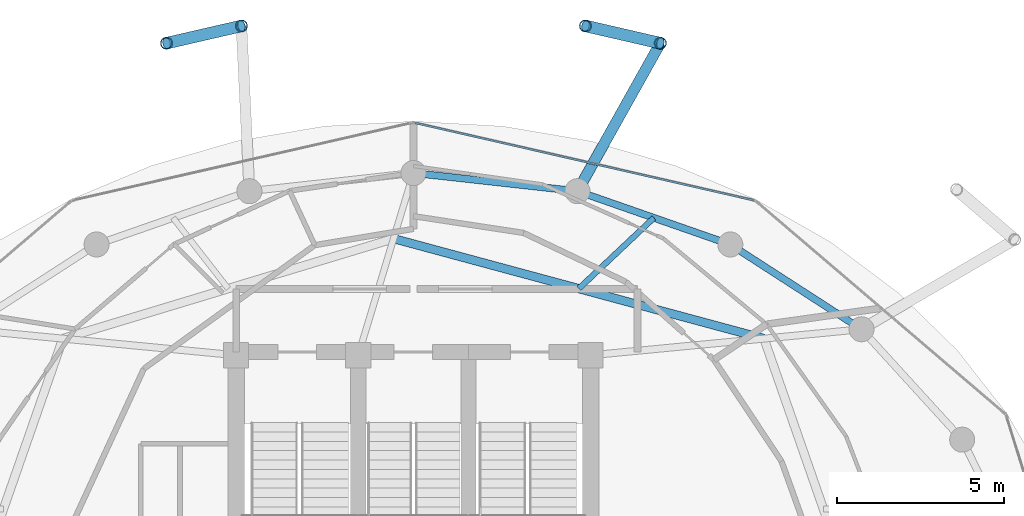
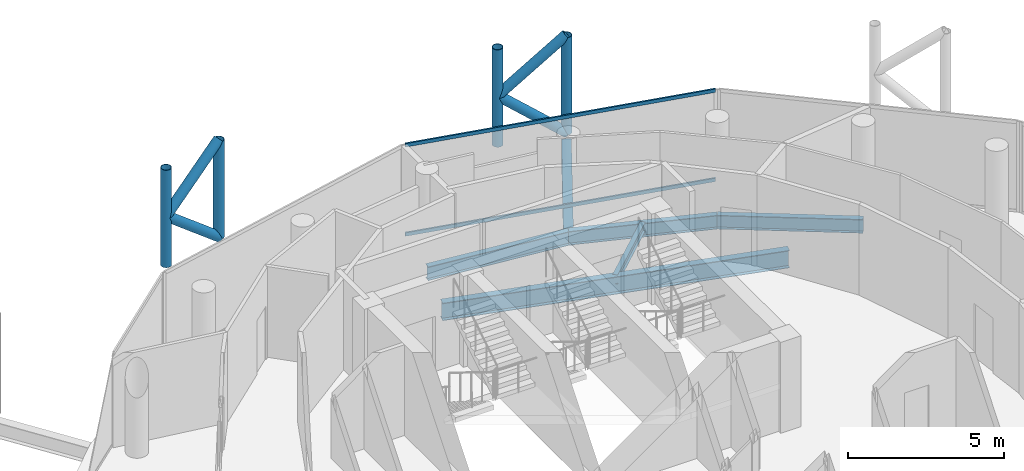
# One storey, part 17 of 24: 10 members, 6 beams, 1 element without a shape of its own.
"""IFC4 building model written with IfcOpenShell, lengths in metres."""

from ifc_helpers import new_model, si_unit, direction, frame, origin, origin_2d, place, context, subcontext, project, spatial, hollow_rectangle, hollow_circle, i_section, extrude, material, layer, layer_set, material_profile, profile_set, type_object, element, aggregate, save


model = new_model("IFC4")

# Units and contexts
model_context = context("Model", 3, precision=1e-05, world=origin(), true_north=direction((0.0, 1.0)))
body_context = subcontext(model_context, "Body", "Model", "MODEL_VIEW")
ifc_project = project(units=[si_unit("LENGTHUNIT", "METRE"), si_unit("AREAUNIT", "SQUARE_METRE"), si_unit("VOLUMEUNIT", "CUBIC_METRE"), si_unit("PLANEANGLEUNIT", "RADIAN"), si_unit("MASSUNIT", "GRAM", prefix="KILO")], contexts=[model_context])

# Site, building, storey
site_placement = place(None, origin())
site = spatial("IfcSite", under=ifc_project, at=site_placement, CompositionType="ELEMENT")
building_placement = place(site_placement, origin())
building = spatial("IfcBuilding", under=site, at=building_placement, Name="Nuhasar Tower", CompositionType="ELEMENT")
storey_placement = place(building_placement, frame((0.0, 0.0, 274.60009765625)))
storey = spatial("IfcBuildingStorey", under=building, at=storey_placement, Name="L68", CompositionType="ELEMENT", Elevation=274.60009765625)

# Beams
ifc_material_1 = material(Name="Steel S355", Category="steel")
ifc_material_profile_1 = material_profile(ifc_material_1, i_section(OverallWidth=0.25390625, OverallDepth=0.68408203125, WebThickness=0.012451171875, FlangeThickness=0.018798828125, at=origin_2d()), Name="W27X94")
ifc_profile_set_1 = profile_set([ifc_material_profile_1], Name="Steel S355")
beam_type_1 = type_object("IfcBeamType", Name="BM-INRING-W27X94", PredefinedType="BEAM", material=ifc_profile_set_1)
beam_1_placement = place(storey_placement, frame((49.48388671875, 37.798095703125, -0.60205078125), z_axis=(-0.965451835482, 0.260581567584, 0.0), x_axis=(-0.260581567584, -0.965451835482, 0.0)))
element("IfcBeam", 1, at=beam_1_placement, inside=storey, type_object=beam_type_1, Name="L68 Inner Header Beam 05", PredefinedType="BEAM", context=body_context, shape_type="SweptSolid", body=[
    extrude(i_section(OverallWidth=0.25390625, OverallDepth=0.68408203125, WebThickness=0.012451171875, FlangeThickness=0.018798828125, at=origin_2d()), origin(), (0.0, 0.0, 1.0), 11.474365234375),
])
ifc_material_profile_2 = material_profile(ifc_material_1, i_section(OverallWidth=0.1708984375, OverallDepth=0.35205078125, WebThickness=0.0068359375, FlangeThickness=0.009765625, at=origin_2d()), Name="W14X30")
ifc_profile_set_2 = profile_set([ifc_material_profile_2], Name="Steel S355")
beam_type_2 = type_object("IfcBeamType", Name="BM-JST-W14X30", PredefinedType="JOIST", material=ifc_profile_set_2)
beam_2_placement = place(storey_placement, frame((43.945068359375, 39.29296875, -0.43603515625), z_axis=(0.727532985224, 0.686072704173, 0.0), x_axis=(-0.686072704173, 0.727532985224, 0.0)))
element("IfcBeam", 2, at=beam_2_placement, inside=storey, type_object=beam_type_2, Name="L68 Secondary Floor Joist 05", PredefinedType="JOIST", context=body_context, shape_type="SweptSolid", body=[
    extrude(i_section(OverallWidth=0.1708984375, OverallDepth=0.35205078125, WebThickness=0.0068359375, FlangeThickness=0.009765625, at=origin_2d()), origin(), (0.0, 0.0, 1.0), 3.085693359375),
])
ifc_material_profile_3 = material_profile(ifc_material_1, i_section(OverallWidth=0.2099609375, OverallDepth=0.537109375, WebThickness=0.010986328125, FlangeThickness=0.017333984375, at=origin_2d()), Name="W21X68")
ifc_profile_set_3 = profile_set([ifc_material_profile_3], Name="Steel S355")
beam_type_3 = type_object("IfcBeamType", Name="BM-RING-W21X68", PredefinedType="SPANDREL", material=ifc_profile_set_3)
beam_3_placement = place(storey_placement, frame((52.39990234375, 38.077880859375, -0.529052734375), z_axis=(-0.840001671147, 0.54258381147, 0.0), x_axis=(-0.54258381147, -0.840001671147, 0.0)))
element("IfcBeam", 3, at=beam_3_placement, inside=storey, type_object=beam_type_3, Name="L68 Perimeter Ring Spandrel 04", PredefinedType="SPANDREL", context=body_context, shape_type="SweptSolid", body=[
    extrude(i_section(OverallWidth=0.2099609375, OverallDepth=0.537109375, WebThickness=0.010986328125, FlangeThickness=0.017333984375, at=origin_2d()), origin(), (0.0, 0.0, 1.0), 4.67236328125),
])
beam_4_placement = place(storey_placement, frame((48.47509765625, 40.613037109375, -0.529052734375), z_axis=(-0.944214043504, 0.329332415729, 0.0), x_axis=(-0.329332415729, -0.944214043504, 0.0)))
element("IfcBeam", 4, at=beam_4_placement, inside=storey, type_object=beam_type_3, Name="L68 Perimeter Ring Spandrel 05", PredefinedType="SPANDREL", context=body_context, shape_type="SweptSolid", body=[
    extrude(i_section(OverallWidth=0.2099609375, OverallDepth=0.537109375, WebThickness=0.010986328125, FlangeThickness=0.017333984375, at=origin_2d()), origin(), (0.0, 0.0, 1.0), 4.840087890625),
])
beam_5_placement = place(storey_placement, frame((43.905029296875, 42.20703125, -0.529052734375), z_axis=(-0.99392889943, 0.110024283128, 0.0), x_axis=(-0.110024283128, -0.99392889943, 0.0)))
element("IfcBeam", 5, at=beam_5_placement, inside=storey, type_object=beam_type_3, Name="L68 Perimeter Ring Spandrel 06", PredefinedType="SPANDREL", context=body_context, shape_type="SweptSolid", body=[
    extrude(i_section(OverallWidth=0.2099609375, OverallDepth=0.537109375, WebThickness=0.010986328125, FlangeThickness=0.017333984375, at=origin_2d()), origin(), (0.0, 0.0, 1.0), 4.93505859375),
])
ifc_material_profile_4 = material_profile(ifc_material_1, i_section(OverallWidth=0.323974609375, OverallDepth=0.611083984375, WebThickness=0.0126953125, FlangeThickness=0.01904296875, at=origin_2d()), Name="W24X104")
ifc_profile_set_4 = profile_set([ifc_material_profile_4], Name="Steel S355")
beam_type_4 = type_object("IfcBeamType", Name="BM-TIE-W24X104", PredefinedType="BEAM", material=ifc_profile_set_4)
beam_6_placement = place(storey_placement, frame((43.905029296875, 42.20703125, -0.566162109375), z_axis=(0.488667847762, 0.872469904675, 0.0), x_axis=(-0.872469904675, 0.488667847762, 0.0)))
element("IfcBeam", 6, at=beam_6_placement, inside=storey, type_object=beam_type_4, Name="L68 Exoskeleton Node Tie Beam 03", PredefinedType="BEAM", context=body_context, shape_type="SweptSolid", body=[
    extrude(i_section(OverallWidth=0.323974609375, OverallDepth=0.611083984375, WebThickness=0.0126953125, FlangeThickness=0.01904296875, at=origin_2d()), origin(), (0.0, 0.0, 1.0), 5.072998046875),
])

# Curtain wall, members
ifc_material_2 = material(Name="Aluminium 6063-T6", Category="aluminium")
ifc_layer = layer(ifc_material_2, 0.18994140625)
ifc_layer_set = layer_set([ifc_layer], Name="Aluminium 6063-T6")
curtain_wall_type = type_object("IfcCurtainWallType", Name="CW-Z4-PEN", PredefinedType="NOTDEFINED", material=ifc_layer_set)
curtain_wall_placement = place(storey_placement, origin())
curtain_wall = element("IfcCurtainWall", 7, at=curtain_wall_placement, inside=storey, type_object=curtain_wall_type, Name="L68 Unitised Curtain Wall 03", PredefinedType="NOTDEFINED")
ifc_material_profile_5 = material_profile(ifc_material_2, hollow_rectangle(XDim=0.06005859375, YDim=0.135009765625, WallThickness=0.00439453125, at=origin_2d()), Name="CWT-5")
ifc_profile_set_5 = profile_set([ifc_material_profile_5], Name="Aluminium 6063-T6")
member_type_1 = type_object("IfcMemberType", Name="CW-TRN-S5", PredefinedType="USERDEFINED", material=ifc_profile_set_5)
member_1_placement = place(storey_placement, frame((49.171630859375, 41.934326171875, 0.02978515625), z_axis=(-0.974843752401, 0.222889341163, 0.0), x_axis=(-0.222889341163, -0.974843752401, 0.0)))
member_1 = element("IfcMember", 8, at=member_1_placement, type_object=member_type_1, Name="CW-Z4 transom 1.1", ObjectType="TRANSOM", PredefinedType="USERDEFINED", context=body_context, shape_type="SweptSolid", body=[
    extrude(hollow_rectangle(XDim=0.06005859375, YDim=0.135009765625, WallThickness=0.00439453125, at=origin_2d()), origin(), (0.0, 0.0, 1.0), 10.3740234375),
])
member_2_placement = place(storey_placement, frame((49.171630859375, 41.934326171875, 3.510009765625), z_axis=(-0.974843752401, 0.222889341163, 0.0), x_axis=(-0.222889341163, -0.974843752401, 0.0)))
member_2 = element("IfcMember", 9, at=member_2_placement, type_object=member_type_1, Name="CW-Z4 transom 1.2", ObjectType="TRANSOM", PredefinedType="USERDEFINED", context=body_context, shape_type="SweptSolid", body=[
    extrude(hollow_rectangle(XDim=0.06005859375, YDim=0.135009765625, WallThickness=0.00439453125, at=origin_2d()), origin(), (0.0, 0.0, 1.0), 10.3740234375),
])
aggregate(curtain_wall, [member_1, member_2])

# Members
ifc_material_3 = material(Name="Steel S460", Category="steel")
ifc_material_profile_6 = material_profile(ifc_material_3, hollow_circle(Radius=0.177734375, WallThickness=0.015869140625, at=origin_2d()), Name="HSS355.6X15.9")
ifc_profile_set_6 = profile_set([ifc_material_profile_6], Name="Steel S460")
member_type_2 = type_object("IfcMemberType", Name="EXO-BRONZE-356", PredefinedType="BRACE", material=ifc_profile_set_6)
for number, where, z_axis, x_axis, name in (
    (10, (46.384033203125, 46.633056640625, 0.0), (0.0, 0.0, 1.0), (1.0, 0.0, 0.0), "L68 Exoskeleton Chord Column EC-03A"),
    (11, (44.14306640625, 47.14892578125, 0.0), (0.0, 0.0, 1.0), (1.0, 0.0, 0.0), "L68 Exoskeleton Chord Column EC-03B"),
    (12, (33.85693359375, 47.14892578125, 0.0), (0.0, 0.0, 1.0), (1.0, 0.0, 0.0), "L68 Exoskeleton Chord Column EC-04A"),
    (13, (31.615966796875, 46.633056640625, 0.0), (0.0, 0.0, 1.0), (1.0, 0.0, 0.0), "L68 Exoskeleton Chord Column EC-04B"),
):
    element("IfcMember", number, at=place(storey_placement, frame(where, z_axis=z_axis, x_axis=x_axis)), inside=storey, type_object=member_type_2, Name=name, PredefinedType="BRACE", context=body_context, shape_type="SweptSolid", body=[
        extrude(hollow_circle(Radius=0.177734375, WallThickness=0.015869140625, at=origin_2d()), origin(), (0.0, 0.0, 1.0), 3.7998046875),
    ])
for number, where, z_axis, x_axis, name in (
    (14, (46.384033203125, 46.633056640625, 0.0), (-0.751271614502, 0.172942250947, 0.636931659663), (-0.224332214284, -0.974512728308, 0.0), "L68 Bronze Diagrid Brace W1-03"),
    (15, (44.14306640625, 47.14892578125, 1.89990234375), (0.751271614502, -0.172942250947, 0.636931659663), (0.224332214284, 0.974512728308, 0.0), "L68 Bronze Diagrid Brace W2-03"),
    (16, (33.85693359375, 47.14892578125, 0.0), (-0.751271614502, -0.172942250947, 0.636931659663), (0.224332214284, -0.974512728308, 0.0), "L68 Bronze Diagrid Brace W1-04"),
    (17, (31.615966796875, 46.633056640625, 1.89990234375), (0.751271614502, 0.172942250947, 0.636931659663), (-0.224332214284, 0.974512728308, 0.0), "L68 Bronze Diagrid Brace W2-04"),
):
    element("IfcMember", number, at=place(storey_placement, frame(where, z_axis=z_axis, x_axis=x_axis)), inside=storey, type_object=member_type_2, Name=name, PredefinedType="BRACE", context=body_context, shape_type="SweptSolid", body=[
        extrude(hollow_circle(Radius=0.177734375, WallThickness=0.015869140625, at=origin_2d()), origin(), (0.0, 0.0, 1.0), 2.98291015625),
    ])

save(model, "model.ifc")
